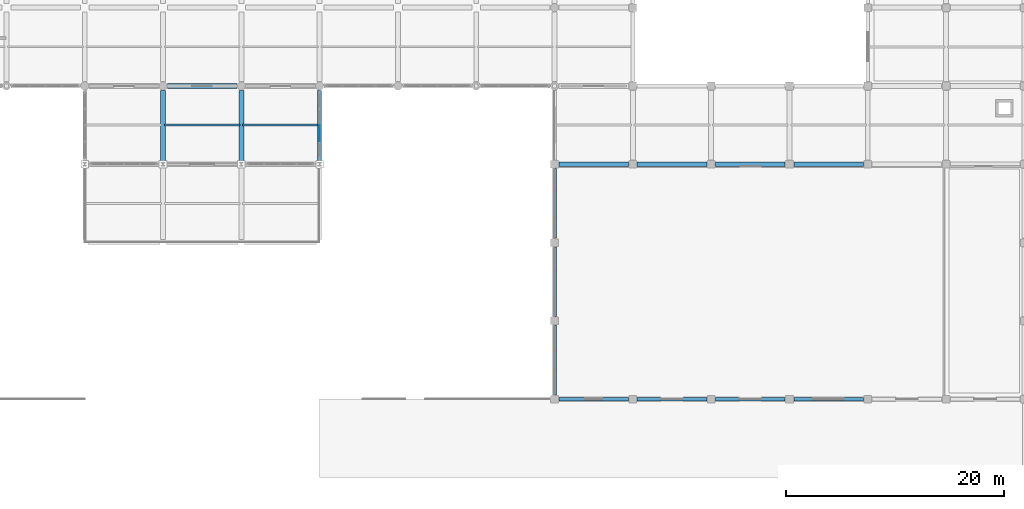
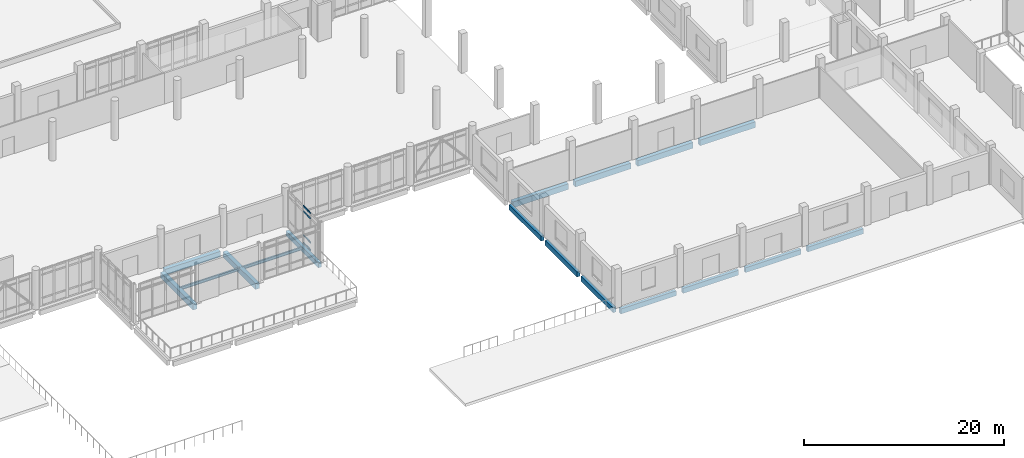
# One storey, part 16 of 59: 17 beams, 4 members, 1 element without a shape of its own.
"""IFC4 building model written with IfcOpenShell, lengths in metres."""

from ifc_helpers import new_model, si_unit, direction, frame, origin, origin_2d, place, context, subcontext, project, spatial, rectangle, i_section, extrude, material, layer, layer_set, material_profile, profile_set, type_object, element, aggregate, save


model = new_model("IFC4")

# Units and contexts
model_context = context("Model", 3, precision=1e-05, world=origin(), true_north=direction((0.0, 1.0)))
body_context = subcontext(model_context, "Body", "Model", "MODEL_VIEW")
ifc_project = project(units=[si_unit("LENGTHUNIT", "METRE"), si_unit("AREAUNIT", "SQUARE_METRE"), si_unit("VOLUMEUNIT", "CUBIC_METRE"), si_unit("PLANEANGLEUNIT", "RADIAN"), si_unit("MASSUNIT", "GRAM", prefix="KILO")], contexts=[model_context])

# Site, building, storey
site_placement = place(None, origin())
site = spatial("IfcSite", under=ifc_project, at=site_placement, CompositionType="ELEMENT")
building_placement = place(site_placement, origin())
building = spatial("IfcBuilding", under=site, at=building_placement, Name="Valkovuoma Quantum and Materials Research Institute", CompositionType="ELEMENT")
storey_placement = place(building_placement, origin())
storey = spatial("IfcBuildingStorey", under=building, at=storey_placement, Name="L00", CompositionType="ELEMENT", Elevation=0.0)

# Beams
ifc_material_1 = material(Name="Steel S355J2", Category="steel")
ifc_material_profile_1 = material_profile(ifc_material_1, i_section(OverallWidth=0.169921875, OverallDepth=0.360107421875, WebThickness=0.008056640625, FlangeThickness=0.0126953125, FilletRadius=0.01806640625, at=origin_2d()), Name="Steel S355J2")
ifc_profile_set_1 = profile_set([ifc_material_profile_1], Name="Steel S355J2")
beam_type_1 = type_object("IfcBeamType", Name="Beam-B-JST360", PredefinedType="JOIST", material=ifc_profile_set_1)
for number, where, z_axis, x_axis, name in (
    (1, (64.919921875, 32.39990234375, -0.580078125), (1.0, 0.0, 0.0), (0.0, 1.0, 0.0), "L00 floor joist 0407"),
    (2, (72.1201171875, 32.39990234375, -0.580078125), (1.0, 0.0, 0.0), (0.0, 1.0, 0.0), "L00 floor joist 0408"),
):
    element("IfcBeam", number, at=place(storey_placement, frame(where, z_axis=z_axis, x_axis=x_axis)), inside=storey, type_object=beam_type_1, Name=name, PredefinedType="JOIST", context=body_context, shape_type="SweptSolid", body=[
        extrude(i_section(OverallWidth=0.169921875, OverallDepth=0.360107421875, WebThickness=0.008056640625, FlangeThickness=0.0126953125, FilletRadius=0.01806640625, at=origin_2d()), origin(), (0.0, 0.0, 1.0), 6.9599609375),
    ])
ifc_material_2 = material(Name="Concrete C40/50", Category="concrete")
ifc_material_profile_2 = material_profile(ifc_material_2, rectangle(XDim=0.449951171875, YDim=0.699951171875, at=origin_2d()), Name="Concrete C40/50")
ifc_profile_set_2 = profile_set([ifc_material_profile_2], Name="Concrete C40/50")
beam_type_2 = type_object("IfcBeamType", Name="Beam-B-RC700", PredefinedType="BEAM", material=ifc_profile_set_2)
for number, where, z_axis, x_axis, name in (
    (3, (101.199951171875, 28.800048828125, -0.75), (1.0, 0.0, 0.0), (0.0, 1.0, 0.0), "L00 beam X-0024"),
    (4, (108.39990234375, 28.800048828125, -0.75), (1.0, 0.0, 0.0), (0.0, 1.0, 0.0), "L00 beam X-0025"),
):
    element("IfcBeam", number, at=place(storey_placement, frame(where, z_axis=z_axis, x_axis=x_axis)), inside=storey, type_object=beam_type_2, Name=name, PredefinedType="BEAM", context=body_context, shape_type="SweptSolid", body=[
        extrude(rectangle(XDim=0.449951171875, YDim=0.699951171875, at=origin_2d()), origin(), (0.0, 0.0, 1.0), 6.400146484375),
    ])
for number, where, z_axis, x_axis, name in (
    (5, (115.60009765625, 28.800048828125, -0.75), (1.0, 0.0, 0.0), (0.0, 1.0, 0.0), "L00 beam X-0026"),
    (6, (122.800048828125, 28.800048828125, -0.75), (1.0, 0.0, 0.0), (0.0, 1.0, 0.0), "L00 beam X-0027"),
):
    element("IfcBeam", number, at=place(storey_placement, frame(where, z_axis=z_axis, x_axis=x_axis)), inside=storey, type_object=beam_type_2, Name=name, PredefinedType="BEAM", context=body_context, shape_type="SweptSolid", body=[
        extrude(rectangle(XDim=0.449951171875, YDim=0.699951171875, at=origin_2d()), origin(), (0.0, 0.0, 1.0), 6.39990234375),
    ])
beam_1_placement = place(storey_placement, frame((65.199951171875, 36.0, -0.75), z_axis=(1.0, 0.0, 0.0), x_axis=(0.0, 1.0, 0.0)))
element("IfcBeam", 7, at=beam_1_placement, inside=storey, type_object=beam_type_2, Name="L00 beam X-0040", PredefinedType="BEAM", context=body_context, shape_type="SweptSolid", body=[
    extrude(rectangle(XDim=0.449951171875, YDim=0.699951171875, at=origin_2d()), origin(), (0.0, 0.0, 1.0), 6.400146484375),
])
for number, where, z_axis, x_axis, name in (
    (8, (64.800048828125, 29.10009765625, -0.75), (0.0, 1.0, 0.0), (-1.0, 0.0, 0.0), "L00 beam Y-0269"),
    (9, (72.0, 29.10009765625, -0.75), (0.0, 1.0, 0.0), (-1.0, 0.0, 0.0), "L00 beam Y-0275"),
):
    element("IfcBeam", number, at=place(storey_placement, frame(where, z_axis=z_axis, x_axis=x_axis)), inside=storey, type_object=beam_type_2, Name=name, PredefinedType="BEAM", context=body_context, shape_type="SweptSolid", body=[
        extrude(rectangle(XDim=0.449951171875, YDim=0.699951171875, at=origin_2d()), origin(), (0.0, 0.0, 1.0), 6.5),
    ])
ifc_material_3 = material(Name="Concrete C40/50", Category="concrete")
ifc_material_profile_3 = material_profile(ifc_material_3, rectangle(XDim=0.35009765625, YDim=0.60009765625, at=origin_2d()), Name="Concrete C40/50")
ifc_profile_set_3 = profile_set([ifc_material_profile_3], Name="Concrete C40/50")
beam_type_3 = type_object("IfcBeamType", Name="Beam-B-SPN600", PredefinedType="SPANDREL", material=ifc_profile_set_3)
for number, where, z_axis, x_axis, name in (
    (10, (101.199951171875, 7.199951171875, -0.699951171875), (1.0, 0.0, 0.0), (0.0, 1.0, 0.0), "L00 beam X-0004"),
    (11, (108.39990234375, 7.199951171875, -0.699951171875), (1.0, 0.0, 0.0), (0.0, 1.0, 0.0), "L00 beam X-0005"),
):
    element("IfcBeam", number, at=place(storey_placement, frame(where, z_axis=z_axis, x_axis=x_axis)), inside=storey, type_object=beam_type_3, Name=name, PredefinedType="SPANDREL", context=body_context, shape_type="SweptSolid", body=[
        extrude(rectangle(XDim=0.35009765625, YDim=0.60009765625, at=origin_2d()), origin(), (0.0, 0.0, 1.0), 6.400146484375),
    ])
for number, where, z_axis, x_axis, name in (
    (12, (115.60009765625, 7.199951171875, -0.699951171875), (1.0, 0.0, 0.0), (0.0, 1.0, 0.0), "L00 beam X-0006"),
    (13, (122.800048828125, 7.199951171875, -0.699951171875), (1.0, 0.0, 0.0), (0.0, 1.0, 0.0), "L00 beam X-0007"),
):
    element("IfcBeam", number, at=place(storey_placement, frame(where, z_axis=z_axis, x_axis=x_axis)), inside=storey, type_object=beam_type_3, Name=name, PredefinedType="SPANDREL", context=body_context, shape_type="SweptSolid", body=[
        extrude(rectangle(XDim=0.35009765625, YDim=0.60009765625, at=origin_2d()), origin(), (0.0, 0.0, 1.0), 6.39990234375),
    ])
beam_2_placement = place(storey_placement, frame((79.199951171875, 29.10009765625, -0.699951171875), z_axis=(0.0, 1.0, 0.0), x_axis=(-1.0, 0.0, 0.0)))
element("IfcBeam", 14, at=beam_2_placement, inside=storey, type_object=beam_type_3, Name="L00 beam Y-0281", PredefinedType="SPANDREL", context=body_context, shape_type="SweptSolid", body=[
    extrude(rectangle(XDim=0.35009765625, YDim=0.60009765625, at=origin_2d()), origin(), (0.0, 0.0, 1.0), 6.5),
])
for number, where, z_axis, x_axis, name in (
    (15, (100.800048828125, 7.60009765625, -0.699951171875), (0.0, 1.0, 0.0), (-1.0, 0.0, 0.0), "L00 beam Y-0294"),
    (16, (100.800048828125, 14.800048828125, -0.699951171875), (0.0, 1.0, 0.0), (-1.0, 0.0, 0.0), "L00 beam Y-0295"),
    (17, (100.800048828125, 22.0, -0.699951171875), (0.0, 1.0, 0.0), (-1.0, 0.0, 0.0), "L00 beam Y-0296"),
):
    element("IfcBeam", number, at=place(storey_placement, frame(where, z_axis=z_axis, x_axis=x_axis)), inside=storey, type_object=beam_type_3, Name=name, PredefinedType="SPANDREL", context=body_context, shape_type="SweptSolid", body=[
        extrude(rectangle(XDim=0.35009765625, YDim=0.60009765625, at=origin_2d()), origin(), (0.0, 0.0, 1.0), 6.39990234375),
    ])

# Curtain wall, members
ifc_material_4 = material(Name="Thermally broken aluminium and triple low-E glazing", Category="aluminium")
ifc_layer = layer(ifc_material_4, 0.219970703125)
ifc_layer_set = layer_set([ifc_layer], Name="Thermally broken aluminium and triple low-E glazing")
curtain_wall_type = type_object("IfcCurtainWallType", Name="CW-CW-04", PredefinedType="NOTDEFINED", material=ifc_layer_set)
curtain_wall_placement = place(storey_placement, origin())
curtain_wall = element("IfcCurtainWall", 18, at=curtain_wall_placement, inside=storey, type_object=curtain_wall_type, Name="L00 curtain wall 146", PredefinedType="NOTDEFINED")
ifc_material_5 = material(Name="Anodised aluminium 6060-T66", Category="aluminium")
ifc_material_profile_4 = material_profile(ifc_material_5, rectangle(XDim=0.06494140625, YDim=0.139892578125, at=origin_2d()), Name="Anodised aluminium 6060-T66")
ifc_profile_set_4 = profile_set([ifc_material_profile_4], Name="Anodised aluminium 6060-T66")
member_type = type_object("IfcMemberType", Name="CWTran-CWT-01", PredefinedType="USERDEFINED", material=ifc_profile_set_4)
member_1_placement = place(storey_placement, frame((79.199951171875, 30.922607421875, 0.032470703125), z_axis=(0.0, 1.0, 0.0), x_axis=(-1.0, 0.0, 0.0)))
member_1 = element("IfcMember", 19, at=member_1_placement, type_object=member_type, Name="CW-04 transom 2.1", ObjectType="TRANSOM", PredefinedType="USERDEFINED", context=body_context, shape_type="SweptSolid", body=[
    extrude(rectangle(XDim=0.06494140625, YDim=0.139892578125, at=origin_2d()), origin(), (0.0, 0.0, 1.0), 1.44482421875),
])
member_2_placement = place(storey_placement, frame((79.199951171875, 30.922607421875, 0.949951171875), z_axis=(0.0, 1.0, 0.0), x_axis=(-1.0, 0.0, 0.0)))
member_2 = element("IfcMember", 20, at=member_2_placement, type_object=member_type, Name="CW-04 transom 2.2", ObjectType="TRANSOM", PredefinedType="USERDEFINED", context=body_context, shape_type="SweptSolid", body=[
    extrude(rectangle(XDim=0.06494140625, YDim=0.139892578125, at=origin_2d()), origin(), (0.0, 0.0, 1.0), 1.44482421875),
])
member_3_placement = place(storey_placement, frame((79.199951171875, 30.922607421875, 3.89990234375), z_axis=(0.0, 1.0, 0.0), x_axis=(-1.0, 0.0, 0.0)))
member_3 = element("IfcMember", 21, at=member_3_placement, type_object=member_type, Name="CW-04 transom 2.3", ObjectType="TRANSOM", PredefinedType="USERDEFINED", context=body_context, shape_type="SweptSolid", body=[
    extrude(rectangle(XDim=0.06494140625, YDim=0.139892578125, at=origin_2d()), origin(), (0.0, 0.0, 1.0), 1.44482421875),
])
member_4_placement = place(storey_placement, frame((79.199951171875, 30.922607421875, 4.517578125), z_axis=(0.0, 1.0, 0.0), x_axis=(-1.0, 0.0, 0.0)))
member_4 = element("IfcMember", 22, at=member_4_placement, type_object=member_type, Name="CW-04 transom 2.4", ObjectType="TRANSOM", PredefinedType="USERDEFINED", context=body_context, shape_type="SweptSolid", body=[
    extrude(rectangle(XDim=0.06494140625, YDim=0.139892578125, at=origin_2d()), origin(), (0.0, 0.0, 1.0), 1.44482421875),
])
aggregate(curtain_wall, [member_1, member_2, member_3, member_4])

save(model, "model.ifc")
